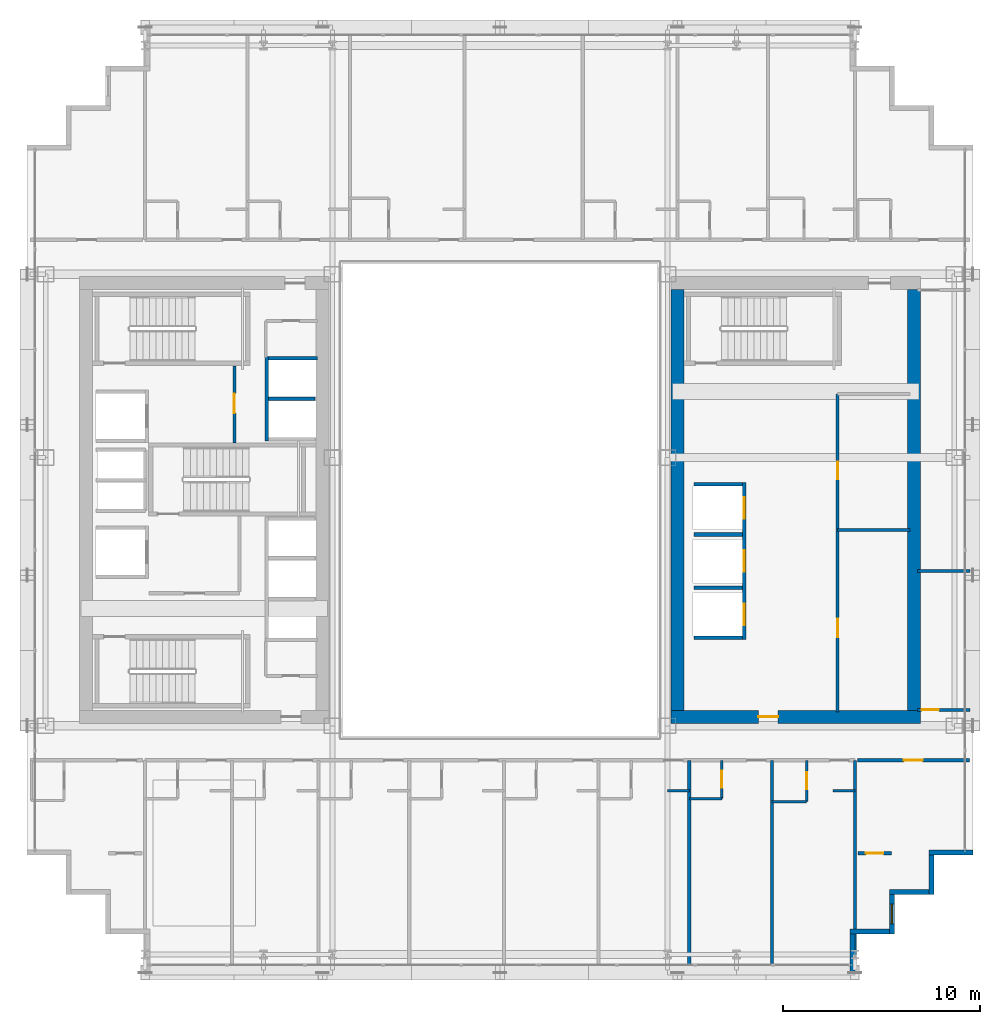
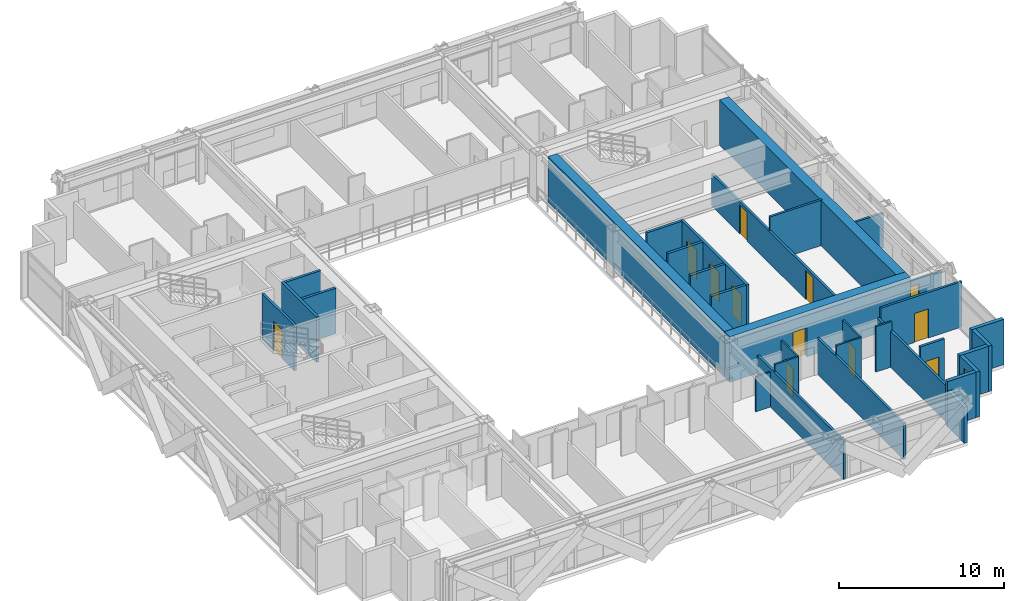
# One storey, part 29 of 35: 33 walls, 12 doors, 1 window, 13 openings.
"""IFC4 building model written with IfcOpenShell, lengths in metres."""

from ifc_helpers import new_model, si_unit, direction, frame, frame_2d, origin, place, context, subcontext, project, spatial, rectangle, extrude, source, transform, mapped, material, layer, layer_set, type_object, element, fill, save


model = new_model("IFC4")

# Units and contexts
model_context = context("Model", 3, precision=1e-05, world=origin(), true_north=direction((0.0, 1.0)))
body_context = subcontext(model_context, "Body", "Model", "MODEL_VIEW")
ifc_project = project(units=[si_unit("LENGTHUNIT", "METRE"), si_unit("AREAUNIT", "SQUARE_METRE"), si_unit("VOLUMEUNIT", "CUBIC_METRE"), si_unit("PLANEANGLEUNIT", "RADIAN"), si_unit("MASSUNIT", "GRAM", prefix="KILO")], contexts=[model_context])

# Site, building, storey
site_placement = place(None, origin())
site = spatial("IfcSite", under=ifc_project, at=site_placement, CompositionType="ELEMENT")
building_placement = place(site_placement, origin())
building = spatial("IfcBuilding", under=site, at=building_placement, Name="Ocotamira Hotel", CompositionType="ELEMENT")
storey_placement = place(building_placement, frame((0.0, 0.0, 100.800048828125)))
storey = spatial("IfcBuildingStorey", under=building, at=storey_placement, Name="L24", CompositionType="ELEMENT", Elevation=100.800048828125)

# Wall, opening, door
ifc_material_1 = material(Name="Concrete C60/75", Category="concrete")
ifc_layer_1 = layer(ifc_material_1, 0.64990234375)
ifc_layer_set_1 = layer_set([ifc_layer_1], Name="Concrete C60/75")
wall_type_1 = type_object("IfcWallType", Name="WL-CORE-650", PredefinedType="SHEAR", material=ifc_layer_set_1)
wall_1_placement = place(storey_placement, frame((40.675048828125, 15.0, 0.0), z_axis=(0.0, 0.0, 1.0), x_axis=(1.0, 0.0, 0.0)))
wall_1 = element("IfcWall", 1, at=wall_1_placement, inside=storey, type_object=wall_type_1, Name="L24 Shear Core Wall ECORE-S", PredefinedType="SHEAR", context=body_context, shape_type="SweptSolid", body=[
    extrude(rectangle(XDim=12.64990234375, YDim=0.64990234375, at=frame_2d((6.324951171875, 0.0))), origin(), (0.0, 0.0, 1.0), 3.35986328125),
])
opening_1_placement = place(wall_1_placement, frame((4.425048828125, 0.0, 0.0)))
opening_1 = element("IfcOpeningElement", 2, at=opening_1_placement, cuts=wall_1, Name="Opening D-FR2", PredefinedType="OPENING", context=body_context, shape_type="SweptSolid", body=[
    extrude(rectangle(XDim=1.0, YDim=2.14990234375, at=frame_2d((0.5, 1.074951171875))), frame((0.0, 0.3349609375, 0.0), z_axis=(0.0, -1.0, 0.0), x_axis=(1.0, 0.0, 0.0)), (0.0, 0.0, 1.0), 0.669921875),
])
ifc_material_2 = material(Name="Fire-rated acoustic timber-veneer door", Category="wood")
door_type_1 = type_object("IfcDoorType", Name="DR-FIRE-1000", OperationType="NOTDEFINED", PredefinedType="DOOR", material=ifc_material_2)
shared_shape_1 = source(origin(), body_context, "Body", "SweptSolid", [
    extrude(rectangle(XDim=1.0, YDim=2.14990234375, at=frame_2d((0.5, 1.074951171875))), frame((0.0, 0.02490234375, 0.0), z_axis=(0.0, -1.0, 0.0), x_axis=(1.0, 0.0, 0.0)), (0.0, 0.0, 1.0), 0.050048828125),
])
door_1_placement = place(opening_1_placement, origin())
door_1 = element("IfcDoor", 3, at=door_1_placement, inside=storey, type_object=door_type_1, Name="L24 Door ID-L24-ELOB-S-D [ID-L24-ELOB-S-D]", OperationType="SINGLE_SWING_RIGHT", OverallHeight=2.14990234375, OverallWidth=1.0, PredefinedType="DOOR", context=body_context, shape_type="MappedRepresentation", body=[
    mapped(shared_shape_1, transform((0.0, 0.0, 0.0), scale=1.0)),
])
fill(opening_1, door_1)

# Walls
for number, where, z_axis, x_axis, name in (
    (4, (41.0, 15.324951171875, 0.0), (0.0, 0.0, 1.0), (0.0, 1.0, 0.0), "L24 Shear Core Wall ECORE-W"),
    (5, (53.0, 15.324951171875, 0.0), (0.0, 0.0, 1.0), (0.0, 1.0, 0.0), "L24 Shear Core Wall ECORE-E"),
):
    element("IfcWall", number, at=place(storey_placement, frame(where, z_axis=z_axis, x_axis=x_axis)), inside=storey, type_object=wall_type_1, Name=name, PredefinedType="SHEAR", context=body_context, shape_type="SweptSolid", body=[
        extrude(rectangle(XDim=21.35009765625, YDim=0.64990234375, at=frame_2d((10.675048828125, 0.0))), origin(), (0.0, 0.0, 1.0), 3.35986328125),
    ])
ifc_material_3 = material(Name="Precast concrete C45/55", Category="concrete")
ifc_layer_2 = layer(ifc_material_3, 0.25)
ifc_layer_set_2 = layer_set([ifc_layer_2], Name="Precast concrete C45/55")
wall_type_2 = type_object("IfcWallType", Name="WL-EXT-SER-250", PredefinedType="SOLIDWALL", material=ifc_layer_set_2)
wall_2_placement = place(storey_placement, frame((49.875, 2.0, 0.0), z_axis=(0.0, 0.0, 1.0), x_axis=(0.0, 1.0, 0.0)))
element("IfcWall", 6, at=wall_2_placement, inside=storey, type_object=wall_type_2, Name="L24 Serrated Corner Wall 01", PredefinedType="SOLIDWALL", context=body_context, shape_type="SweptSolid", body=[
    extrude(rectangle(XDim=2.0, YDim=0.25, at=frame_2d((1.0, 0.0))), origin(), (0.0, 0.0, 1.0), 2.6669921875),
])
wall_3_placement = place(storey_placement, frame((49.75, 4.125, 0.0), z_axis=(0.0, 0.0, 1.0), x_axis=(1.0, 0.0, 0.0)))
element("IfcWall", 7, at=wall_3_placement, inside=storey, type_object=wall_type_2, Name="L24 Serrated Corner Wall 02", PredefinedType="SOLIDWALL", context=body_context, shape_type="SweptSolid", body=[
    extrude(rectangle(XDim=2.0, YDim=0.25, at=frame_2d((1.0, 0.0))), origin(), (0.0, 0.0, 1.0), 3.35986328125),
])

# Wall, opening, window
wall_4_placement = place(storey_placement, frame((51.875, 4.0, 0.0), z_axis=(0.0, 0.0, 1.0), x_axis=(0.0, 1.0, 0.0)))
wall_4 = element("IfcWall", 8, at=wall_4_placement, inside=storey, type_object=wall_type_2, Name="L24 Serrated Corner Wall 03", PredefinedType="SOLIDWALL", context=body_context, shape_type="SweptSolid", body=[
    extrude(rectangle(XDim=2.0, YDim=0.25, at=frame_2d((1.0, 0.0))), origin(), (0.0, 0.0, 1.0), 3.35986328125),
])
opening_2_placement = place(wall_4_placement, frame((0.5, 0.0, 0.85009765625)))
opening_2 = element("IfcOpeningElement", 9, at=opening_2_placement, cuts=wall_4, Name="Opening WN-2", PredefinedType="OPENING", context=body_context, shape_type="SweptSolid", body=[
    extrude(rectangle(XDim=1.0, YDim=1.89990234375, at=frame_2d((0.5, 0.949951171875))), frame((0.0, 0.135009765625, 0.0), z_axis=(0.0, -1.0, 0.0), x_axis=(1.0, 0.0, 0.0)), (0.0, 0.0, 1.0), 0.27001953125),
])
ifc_material_4 = material(Name="Double-silver low-E solar glass", Category="glass")
window_type = type_object("IfcWindowType", Name="WIN-SER-1100", PartitioningType="SINGLE_PANEL", PredefinedType="WINDOW", material=ifc_material_4)
shared_shape_2 = source(origin(), body_context, "Body", "SweptSolid", [
    extrude(rectangle(XDim=1.0, YDim=1.89990234375, at=frame_2d((0.5, 0.949951171875))), frame((0.0, 0.030029296875, 0.0), z_axis=(0.0, -1.0, 0.0), x_axis=(1.0, 0.0, 0.0)), (0.0, 0.0, 1.0), 0.06005859375),
])
window_placement = place(opening_2_placement, origin())
window = element("IfcWindow", 10, at=window_placement, inside=storey, type_object=window_type, Name="L24 Serrated Corner Window 03", OverallHeight=1.89990234375, OverallWidth=1.0, PartitioningType="SINGLE_PANEL", PredefinedType="WINDOW", context=body_context, shape_type="MappedRepresentation", body=[
    mapped(shared_shape_2, transform((0.0, 0.0, 0.0), scale=1.0)),
])
fill(opening_2, window)

# Walls
for number, where, z_axis, x_axis, name in (
    (11, (51.75, 6.125, 0.0), (0.0, 0.0, 1.0), (1.0, 0.0, 0.0), "L24 Serrated Corner Wall 04"),
    (12, (53.875, 6.0, 0.0), (0.0, 0.0, 1.0), (0.0, 1.0, 0.0), "L24 Serrated Corner Wall 05"),
):
    element("IfcWall", number, at=place(storey_placement, frame(where, z_axis=z_axis, x_axis=x_axis)), inside=storey, type_object=wall_type_2, Name=name, PredefinedType="SOLIDWALL", context=body_context, shape_type="SweptSolid", body=[
        extrude(rectangle(XDim=2.0, YDim=0.25, at=frame_2d((1.0, 0.0))), origin(), (0.0, 0.0, 1.0), 3.35986328125),
    ])
wall_5_placement = place(storey_placement, frame((53.75, 8.125, 0.0), z_axis=(0.0, 0.0, 1.0), x_axis=(1.0, 0.0, 0.0)))
element("IfcWall", 13, at=wall_5_placement, inside=storey, type_object=wall_type_2, Name="L24 Serrated Corner Wall 06", PredefinedType="SOLIDWALL", context=body_context, shape_type="SweptSolid", body=[
    extrude(rectangle(XDim=2.25, YDim=0.25, at=frame_2d((1.125, 0.0))), origin(), (0.0, 0.0, 1.0), 3.35986328125),
])

# Wall, opening, door
ifc_material_5 = material(Name="Acoustic double-layer fire gypsum board partition", Category="gypsum")
ifc_layer_3 = layer(ifc_material_5, 0.159912109375)
ifc_layer_set_3 = layer_set([ifc_layer_3], Name="Acoustic double-layer fire gypsum board partition")
wall_type_3 = type_object("IfcWallType", Name="WL-FIRE-160", PredefinedType="PARTITIONING", material=ifc_layer_set_3)
wall_6_placement = place(storey_placement, frame((18.530029296875, 28.89990234375, 0.0), z_axis=(0.0, 0.0, 1.0), x_axis=(0.0, 1.0, 0.0)))
wall_6 = element("IfcWall", 14, at=wall_6_placement, inside=storey, type_object=wall_type_3, Name="L24 Interior Wall PW-L24-FSAE2-E", PredefinedType="PARTITIONING", context=body_context, shape_type="SweptSolid", body=[
    extrude(rectangle(XDim=3.900146484375, YDim=0.159912109375, at=frame_2d((1.9501953125, 0.0))), origin(), (0.0, 0.0, 1.0), 3.35986328125),
])
opening_3_placement = place(wall_6_placement, frame((1.5, 0.0, 0.0)))
opening_3 = element("IfcOpeningElement", 15, at=opening_3_placement, cuts=wall_6, Name="Opening D-FR2", PredefinedType="OPENING", context=body_context, shape_type="SweptSolid", body=[
    extrude(rectangle(XDim=1.0, YDim=2.14990234375, at=frame_2d((0.5, 1.074951171875))), frame((0.0, 0.08984375, 0.0), z_axis=(0.0, -1.0, 0.0), x_axis=(1.0, 0.0, 0.0)), (0.0, 0.0, 1.0), 0.179931640625),
])
door_2_placement = place(opening_3_placement, origin())
door_2 = element("IfcDoor", 16, at=door_2_placement, inside=storey, type_object=door_type_1, Name="L24 Door ID-L24-FSAE2-D [ID-L24-FSAE2-D]", OperationType="SINGLE_SWING_RIGHT", OverallHeight=2.14990234375, OverallWidth=1.0, PredefinedType="DOOR", context=body_context, shape_type="MappedRepresentation", body=[
    mapped(shared_shape_1, transform((0.0, 0.0, 0.0), scale=1.0)),
])
fill(opening_3, door_2)

# Wall, openings, doors
wall_7_placement = place(storey_placement, frame((49.1201171875, 15.25, 0.0), z_axis=(0.0, 0.0, 1.0), x_axis=(0.0, 1.0, 0.0)))
wall_7 = element("IfcWall", 17, at=wall_7_placement, inside=storey, type_object=wall_type_3, Name="L24 Interior Wall PW-L24-EC-FLOW-W", PredefinedType="PARTITIONING", context=body_context, shape_type="SweptSolid", body=[
    extrude(rectangle(XDim=16.1298828125, YDim=0.159912109375, at=frame_2d((8.06494140625, 0.0))), origin(), (0.0, 0.0, 1.0), 2.35986328125),
])
opening_4_placement = place(wall_7_placement, frame((3.800048828125, 0.0, 0.0)))
opening_4 = element("IfcOpeningElement", 18, at=opening_4_placement, cuts=wall_7, Name="Opening D-SV3", PredefinedType="OPENING", context=body_context, shape_type="SweptSolid", body=[
    extrude(rectangle(XDim=0.919921875, YDim=2.14990234375, at=frame_2d((0.4599609375, 1.074951171875))), frame((0.0, 0.08984375, 0.0), z_axis=(0.0, -1.0, 0.0), x_axis=(1.0, 0.0, 0.0)), (0.0, 0.0, 1.0), 0.179931640625),
])
opening_5_placement = place(wall_7_placement, frame((11.800048828125, 0.0, 0.0)))
opening_5 = element("IfcOpeningElement", 19, at=opening_5_placement, cuts=wall_7, Name="Opening D-IN3", PredefinedType="OPENING", context=body_context, shape_type="SweptSolid", body=[
    extrude(rectangle(XDim=0.89990234375, YDim=2.14990234375, at=frame_2d((0.449951171875, 1.074951171875))), frame((0.0, 0.08984375, 0.0), z_axis=(0.0, -1.0, 0.0), x_axis=(1.0, 0.0, 0.0)), (0.0, 0.0, 1.0), 0.179931640625),
])
ifc_material_6 = material(Name="Painted service room door", Category="steel")
door_type_2 = type_object("IfcDoorType", Name="DR-INT-900", OperationType="NOTDEFINED", PredefinedType="DOOR", material=ifc_material_6)
shared_shape_3 = source(origin(), body_context, "Body", "SweptSolid", [
    extrude(rectangle(XDim=0.89990234375, YDim=2.14990234375, at=frame_2d((0.449951171875, 1.074951171875))), frame((0.0, 0.02490234375, 0.0), z_axis=(0.0, -1.0, 0.0), x_axis=(1.0, 0.0, 0.0)), (0.0, 0.0, 1.0), 0.050048828125),
])
door_3_placement = place(opening_5_placement, origin())
door_3 = element("IfcDoor", 20, at=door_3_placement, inside=storey, type_object=door_type_2, Name="L24 Door ID-L24-EC-FLOW-DB [ID-L24-EC-FLOW-DB]", OperationType="SINGLE_SWING_RIGHT", OverallHeight=2.14990234375, OverallWidth=0.89990234375, PredefinedType="DOOR", context=body_context, shape_type="MappedRepresentation", body=[
    mapped(shared_shape_3, transform((0.0, 0.0, 0.0), scale=1.0)),
])
fill(opening_5, door_3)
ifc_material_7 = material(Name="Fire-rated walnut hospitality door", Category="wood")
door_type_3 = type_object("IfcDoorType", Name="DR-SERV-920", OperationType="NOTDEFINED", PredefinedType="DOOR", material=ifc_material_7)
shared_shape_4 = source(origin(), body_context, "Body", "SweptSolid", [
    extrude(rectangle(XDim=0.919921875, YDim=2.14990234375, at=frame_2d((0.4599609375, 1.074951171875))), frame((0.0, 0.02490234375, 0.0), z_axis=(0.0, -1.0, 0.0), x_axis=(1.0, 0.0, 0.0)), (0.0, 0.0, 1.0), 0.050048828125),
])
door_4_placement = place(opening_4_placement, origin())
door_4 = element("IfcDoor", 21, at=door_4_placement, inside=storey, type_object=door_type_3, Name="L24 Door ID-L24-EC-FLOW-DA [ID-L24-EC-FLOW-DA]", OperationType="SINGLE_SWING_LEFT", OverallHeight=2.14990234375, OverallWidth=0.919921875, PredefinedType="DOOR", context=body_context, shape_type="MappedRepresentation", body=[
    mapped(shared_shape_4, transform((0.0, 0.0, 0.0), scale=1.0)),
])
fill(opening_4, door_4)

# Wall, opening, door
wall_8_placement = place(storey_placement, frame((50.1201171875, 12.800048828125, 0.0), z_axis=(0.0, 0.0, 1.0), x_axis=(1.0, 0.0, 0.0)))
wall_8 = element("IfcWall", 22, at=wall_8_placement, inside=storey, type_object=wall_type_3, Name="L24 Interior Wall PW-L24-Z2A-CSE-CW", PredefinedType="PARTITIONING", context=body_context, shape_type="SweptSolid", body=[
    extrude(rectangle(XDim=5.679931640625, YDim=0.159912109375, at=frame_2d((2.83984375, 0.0))), origin(), (0.0, 0.0, 1.0), 3.35986328125),
])
opening_6_placement = place(wall_8_placement, frame((2.360107421875, 0.0, 0.0)))
opening_6 = element("IfcOpeningElement", 23, at=opening_6_placement, cuts=wall_8, Name="Opening D-SV4", PredefinedType="OPENING", context=body_context, shape_type="SweptSolid", body=[
    extrude(rectangle(XDim=0.9599609375, YDim=2.14990234375, at=frame_2d((0.47998046875, 1.074951171875))), frame((0.0, 0.08984375, 0.0), z_axis=(0.0, -1.0, 0.0), x_axis=(1.0, 0.0, 0.0)), (0.0, 0.0, 1.0), 0.179931640625),
])
ifc_material_8 = material(Name="Fire-rated accessible walnut salon door", Category="wood")
door_type_4 = type_object("IfcDoorType", Name="DR-SERV-960", OperationType="NOTDEFINED", PredefinedType="DOOR", material=ifc_material_8)
shared_shape_5 = source(origin(), body_context, "Body", "SweptSolid", [
    extrude(rectangle(XDim=0.9599609375, YDim=2.14990234375, at=frame_2d((0.47998046875, 1.074951171875))), frame((0.0, 0.02490234375, 0.0), z_axis=(0.0, -1.0, 0.0), x_axis=(1.0, 0.0, 0.0)), (0.0, 0.0, 1.0), 0.050048828125),
])
door_5_placement = place(opening_6_placement, origin())
door_5 = element("IfcDoor", 24, at=door_5_placement, inside=storey, type_object=door_type_4, Name="L24 Door ID-L24-Z2A-CSE-CD [ID-L24-Z2A-CSE-CD]", OperationType="SINGLE_SWING_LEFT", OverallHeight=2.14990234375, OverallWidth=0.9599609375, PredefinedType="DOOR", context=body_context, shape_type="MappedRepresentation", body=[
    mapped(shared_shape_5, transform((0.0, 0.0, 0.0), scale=1.0)),
])
fill(opening_6, door_5)

wall_9_placement = place(storey_placement, frame((50.14990234375, 8.080078125, 0.0), z_axis=(0.0, 0.0, 1.0), x_axis=(1.0, 0.0, 0.0)))
wall_9 = element("IfcWall", 25, at=wall_9_placement, inside=storey, type_object=wall_type_3, Name="L24 Interior Wall PW-L24-Z2A-CSE2-CW", PredefinedType="PARTITIONING", context=body_context, shape_type="SweptSolid", body=[
    extrude(rectangle(XDim=1.7001953125, YDim=0.159912109375, at=frame_2d((0.85009765625, 0.0))), origin(), (0.0, 0.0, 1.0), 3.35986328125),
])
opening_7_placement = place(wall_9_placement, frame((0.409912109375, 0.0, 0.0)))
opening_7 = element("IfcOpeningElement", 26, at=opening_7_placement, cuts=wall_9, Name="Opening D-SV2", PredefinedType="OPENING", context=body_context, shape_type="SweptSolid", body=[
    extrude(rectangle(XDim=0.8798828125, YDim=2.14990234375, at=frame_2d((0.43994140625, 1.074951171875))), frame((0.0, 0.08984375, 0.0), z_axis=(0.0, -1.0, 0.0), x_axis=(1.0, 0.0, 0.0)), (0.0, 0.0, 1.0), 0.179931640625),
])
ifc_material_9 = material(Name="Fire-rated painted steel service door", Category="steel")
door_type_5 = type_object("IfcDoorType", Name="DR-SERV-880", OperationType="NOTDEFINED", PredefinedType="DOOR", material=ifc_material_9)
shared_shape_6 = source(origin(), body_context, "Body", "SweptSolid", [
    extrude(rectangle(XDim=0.8798828125, YDim=2.14990234375, at=frame_2d((0.43994140625, 1.074951171875))), frame((0.0, 0.02490234375, 0.0), z_axis=(0.0, -1.0, 0.0), x_axis=(1.0, 0.0, 0.0)), (0.0, 0.0, 1.0), 0.050048828125),
])
door_6_placement = place(opening_7_placement, origin())
door_6 = element("IfcDoor", 27, at=door_6_placement, inside=storey, type_object=door_type_5, Name="L24 Door ID-L24-Z2A-CSE2-CD [ID-L24-Z2A-CSE2-CD]", OperationType="SINGLE_SWING_LEFT", OverallHeight=2.14990234375, OverallWidth=0.8798828125, PredefinedType="DOOR", context=body_context, shape_type="MappedRepresentation", body=[
    mapped(shared_shape_6, transform((0.0, 0.0, 0.0), scale=1.0)),
])
fill(opening_7, door_6)

# Wall
ifc_material_10 = material(Name="Moisture-resistant en-suite tile and gypsum partition", Category="gypsum")
ifc_layer_4 = layer(ifc_material_10, 0.1201171875)
ifc_layer_set_4 = layer_set([ifc_layer_4], Name="Moisture-resistant en-suite tile and gypsum partition")
wall_type_4 = type_object("IfcWallType", Name="WL-PART-120", PredefinedType="PARTITIONING", material=ifc_layer_set_4)
wall_10_placement = place(storey_placement, frame((40.5, 11.25, 0.0), z_axis=(0.0, 0.0, 1.0), x_axis=(1.0, 0.0, 0.0)))
element("IfcWall", 28, at=wall_10_placement, inside=storey, type_object=wall_type_4, Name="L24 Interior Wall PW-L24-Z2AS-DRN6", PredefinedType="PARTITIONING", context=body_context, shape_type="SweptSolid", body=[
    extrude(rectangle(XDim=1.10009765625, YDim=0.1201171875, at=frame_2d((0.550048828125, 0.0))), origin(), (0.0, 0.0, 1.0), 2.5810546875),
])

# Wall, opening, door
wall_11_placement = place(storey_placement, frame((43.25, 10.85009765625, 0.0), z_axis=(0.0, 0.0, 1.0), x_axis=(0.0, 1.0, 0.0)))
wall_11 = element("IfcWall", 29, at=wall_11_placement, inside=storey, type_object=wall_type_4, Name="L24 Interior Wall PW-L24-Z2AS-BAE7", PredefinedType="PARTITIONING", context=body_context, shape_type="SweptSolid", body=[
    extrude(rectangle(XDim=1.949951171875, YDim=0.1201171875, at=frame_2d((0.97509765625, 0.0))), origin(), (0.0, 0.0, 1.0), 3.35986328125),
])
opening_8_placement = place(wall_11_placement, frame((0.544921875, 0.0, 0.0)))
opening_8 = element("IfcOpeningElement", 30, at=opening_8_placement, cuts=wall_11, Name="Opening D-BA1", PredefinedType="OPENING", context=body_context, shape_type="SweptSolid", body=[
    extrude(rectangle(XDim=0.860107421875, YDim=2.10009765625, at=frame_2d((0.43017578125, 1.050048828125))), frame((0.0, 0.070068359375, 0.0), z_axis=(0.0, -1.0, 0.0), x_axis=(1.0, 0.0, 0.0)), (0.0, 0.0, 1.0), 0.14013671875),
])
ifc_material_11 = material(Name="Moisture-sealed en-suite timber door", Category="wood")
door_type_6 = type_object("IfcDoorType", Name="DR-BATH-860", OperationType="NOTDEFINED", PredefinedType="DOOR", material=ifc_material_11)
shared_shape_7 = source(origin(), body_context, "Body", "SweptSolid", [
    extrude(rectangle(XDim=0.860107421875, YDim=2.10009765625, at=frame_2d((0.43017578125, 1.050048828125))), frame((0.0, 0.02490234375, 0.0), z_axis=(0.0, -1.0, 0.0), x_axis=(1.0, 0.0, 0.0)), (0.0, 0.0, 1.0), 0.050048828125),
])
door_7_placement = place(opening_8_placement, origin())
door_7 = element("IfcDoor", 31, at=door_7_placement, inside=storey, type_object=door_type_6, Name="L24 Door ID-L24-Z2AS-BAD7 [ID-L24-Z2AS-BAD7]", OperationType="SINGLE_SWING_RIGHT", OverallHeight=2.10009765625, OverallWidth=0.860107421875, PredefinedType="DOOR", context=body_context, shape_type="MappedRepresentation", body=[
    mapped(shared_shape_7, transform((0.0, 0.0, 0.0), scale=1.0)),
])
fill(opening_8, door_7)

# Wall
wall_12_placement = place(storey_placement, frame((41.60009765625, 10.85009765625, 0.0), z_axis=(0.0, 0.0, 1.0), x_axis=(1.0, 0.0, 0.0)))
element("IfcWall", 32, at=wall_12_placement, inside=storey, type_object=wall_type_4, Name="L24 Interior Wall PW-L24-Z2AS-BAS7", PredefinedType="PARTITIONING", context=body_context, shape_type="SweptSolid", body=[
    extrude(rectangle(XDim=1.64990234375, YDim=0.1201171875, at=frame_2d((0.824951171875, 0.0))), origin(), (0.0, 0.0, 1.0), 3.35986328125),
])

# Wall, opening, door
wall_13_placement = place(storey_placement, frame((47.550048828125, 10.699951171875, 0.0), z_axis=(0.0, 0.0, 1.0), x_axis=(0.0, 1.0, 0.0)))
wall_13 = element("IfcWall", 33, at=wall_13_placement, inside=storey, type_object=wall_type_4, Name="L24 Interior Wall PW-L24-Z2AS-BAE8", PredefinedType="PARTITIONING", context=body_context, shape_type="SweptSolid", body=[
    extrude(rectangle(XDim=2.10009765625, YDim=0.1201171875, at=frame_2d((1.050048828125, 0.0))), origin(), (0.0, 0.0, 1.0), 3.35986328125),
])
opening_9_placement = place(wall_13_placement, frame((0.6201171875, 0.0, 0.0)))
opening_9 = element("IfcOpeningElement", 34, at=opening_9_placement, cuts=wall_13, Name="Opening D-BA1", PredefinedType="OPENING", context=body_context, shape_type="SweptSolid", body=[
    extrude(rectangle(XDim=0.860107421875, YDim=2.10009765625, at=frame_2d((0.43017578125, 1.050048828125))), frame((0.0, 0.070068359375, 0.0), z_axis=(0.0, -1.0, 0.0), x_axis=(1.0, 0.0, 0.0)), (0.0, 0.0, 1.0), 0.14013671875),
])
door_8_placement = place(opening_9_placement, origin())
door_8 = element("IfcDoor", 35, at=door_8_placement, inside=storey, type_object=door_type_6, Name="L24 Door ID-L24-Z2AS-BAD8 [ID-L24-Z2AS-BAD8]", OperationType="SINGLE_SWING_LEFT", OverallHeight=2.10009765625, OverallWidth=0.860107421875, PredefinedType="DOOR", context=body_context, shape_type="MappedRepresentation", body=[
    mapped(shared_shape_7, transform((0.0, 0.0, 0.0), scale=1.0)),
])
fill(opening_9, door_8)

# Walls
wall_14_placement = place(storey_placement, frame((45.800048828125, 10.699951171875, 0.0), z_axis=(0.0, 0.0, 1.0), x_axis=(1.0, 0.0, 0.0)))
element("IfcWall", 36, at=wall_14_placement, inside=storey, type_object=wall_type_4, Name="L24 Interior Wall PW-L24-Z2AS-BAS8", PredefinedType="PARTITIONING", context=body_context, shape_type="SweptSolid", body=[
    extrude(rectangle(XDim=1.75, YDim=0.1201171875, at=frame_2d((0.875, 0.0))), origin(), (0.0, 0.0, 1.0), 3.35986328125),
])
wall_15_placement = place(storey_placement, frame((48.89990234375, 11.25, 0.0), z_axis=(0.0, 0.0, 1.0), x_axis=(1.0, 0.0, 0.0)))
element("IfcWall", 37, at=wall_15_placement, inside=storey, type_object=wall_type_4, Name="L24 Interior Wall PW-L24-Z2AS-DRN8", PredefinedType="PARTITIONING", context=body_context, shape_type="SweptSolid", body=[
    extrude(rectangle(XDim=1.10009765625, YDim=0.1201171875, at=frame_2d((0.550048828125, 0.0))), origin(), (0.0, 0.0, 1.0), 3.35986328125),
])
ifc_material_12 = material(Name="Acoustic hospitality gypsum board partition", Category="gypsum")
ifc_layer_5 = layer(ifc_material_12, 0.14208984375)
ifc_layer_set_5 = layer_set([ifc_layer_5], Name="Acoustic hospitality gypsum board partition")
wall_type_5 = type_object("IfcWallType", Name="WL-PART-142", PredefinedType="PARTITIONING", material=ifc_layer_set_5)
wall_16_placement = place(storey_placement, frame((53.179931640625, 22.39990234375, 0.0), z_axis=(0.0, 0.0, 1.0), x_axis=(1.0, 0.0, 0.0)))
element("IfcWall", 38, at=wall_16_placement, inside=storey, type_object=wall_type_5, Name="L24 Interior Wall PW-L24-Z2A-EF-DV1", PredefinedType="PARTITIONING", context=body_context, shape_type="SweptSolid", body=[
    extrude(rectangle(XDim=2.66015625, YDim=0.14208984375, at=frame_2d((1.330078125, 0.0))), origin(), (0.0, 0.0, 1.0), 2.5810546875),
])
ifc_layer_6 = layer(ifc_material_12, 0.14990234375)
ifc_layer_set_6 = layer_set([ifc_layer_6], Name="Acoustic hospitality gypsum board partition")
wall_type_6 = type_object("IfcWallType", Name="WL-PART-150", PredefinedType="PARTITIONING", material=ifc_layer_set_6)
wall_17_placement = place(storey_placement, frame((49.1201171875, 24.489990234375, 0.0), z_axis=(0.0, 0.0, 1.0), x_axis=(1.0, 0.0, 0.0)))
element("IfcWall", 39, at=wall_17_placement, inside=storey, type_object=wall_type_6, Name="L24 Interior Wall PW-L24-EC-FDIVA", PredefinedType="PARTITIONING", context=body_context, shape_type="SweptSolid", body=[
    extrude(rectangle(XDim=3.679931640625, YDim=0.14990234375, at=frame_2d((1.83984375, 0.0))), origin(), (0.0, 0.0, 1.0), 3.35986328125),
])

# Wall, opening, door
wall_18_placement = place(storey_placement, frame((53.179931640625, 15.360107421875, 0.0), z_axis=(0.0, 0.0, 1.0), x_axis=(1.0, 0.0, 0.0)))
wall_18 = element("IfcWall", 40, at=wall_18_placement, inside=storey, type_object=wall_type_6, Name="L24 Interior Wall PW-L24-Z2A-EF-WS", PredefinedType="PARTITIONING", context=body_context, shape_type="SweptSolid", body=[
    extrude(rectangle(XDim=2.66015625, YDim=0.14990234375, at=frame_2d((1.330078125, 0.0))), origin(), (0.0, 0.0, 1.0), 2.5810546875),
])
opening_10_placement = place(wall_18_placement, frame((0.199951171875, 0.0, 0.0)))
opening_10 = element("IfcOpeningElement", 41, at=opening_10_placement, cuts=wall_18, Name="Opening D-SV2", PredefinedType="OPENING", context=body_context, shape_type="SweptSolid", body=[
    extrude(rectangle(XDim=0.8798828125, YDim=2.14990234375, at=frame_2d((0.43994140625, 1.074951171875))), frame((0.0, 0.0849609375, 0.0), z_axis=(0.0, -1.0, 0.0), x_axis=(1.0, 0.0, 0.0)), (0.0, 0.0, 1.0), 0.169921875),
])
door_9_placement = place(opening_10_placement, origin())
door_9 = element("IfcDoor", 42, at=door_9_placement, inside=storey, type_object=door_type_5, Name="L24 Door ID-L24-Z2A-EF-DS [ID-L24-Z2A-EF-DS]", OperationType="SINGLE_SWING_RIGHT", OverallHeight=2.14990234375, OverallWidth=0.8798828125, PredefinedType="DOOR", context=body_context, shape_type="MappedRepresentation", body=[
    mapped(shared_shape_6, transform((0.0, 0.0, 0.0), scale=1.0)),
])
fill(opening_10, door_9)

# Walls
ifc_material_13 = material(Name="Acoustic double-stud hospitality gypsum partition", Category="gypsum")
ifc_layer_7 = layer(ifc_material_13, 0.159912109375)
ifc_layer_set_7 = layer_set([ifc_layer_7], Name="Acoustic double-stud hospitality gypsum partition")
wall_type_7 = type_object("IfcWallType", Name="WL-PART-160", PredefinedType="PARTITIONING", material=ifc_layer_set_7)
wall_19_placement = place(storey_placement, frame((50.0, 2.360107421875, 0.0), z_axis=(0.0, 0.0, 1.0), x_axis=(0.0, 1.0, 0.0)))
element("IfcWall", 43, at=wall_19_placement, inside=storey, type_object=wall_type_7, Name="L24 Interior Wall PW-L24-Z2AS-PWEND", PredefinedType="PARTITIONING", context=body_context, shape_type="SweptSolid", body=[
    extrude(rectangle(XDim=10.43994140625, YDim=0.159912109375, at=frame_2d((5.219970703125, 0.0))), origin(), (0.0, 0.0, 1.0), 2.6669921875),
])
wall_20_placement = place(storey_placement, frame((41.60009765625, 2.360107421875, 0.0), z_axis=(0.0, 0.0, 1.0), x_axis=(0.0, 1.0, 0.0)))
element("IfcWall", 44, at=wall_20_placement, inside=storey, type_object=wall_type_7, Name="L24 Interior Wall PW-L24-Z2AS-PW6", PredefinedType="PARTITIONING", context=body_context, shape_type="SweptSolid", body=[
    extrude(rectangle(XDim=10.43994140625, YDim=0.159912109375, at=frame_2d((5.219970703125, 0.0))), origin(), (0.0, 0.0, 1.0), 2.822998046875),
])
wall_21_placement = place(storey_placement, frame((45.800048828125, 2.360107421875, 0.0), z_axis=(0.0, 0.0, 1.0), x_axis=(0.0, 1.0, 0.0)))
element("IfcWall", 45, at=wall_21_placement, inside=storey, type_object=wall_type_7, Name="L24 Interior Wall PW-L24-Z2AS-PW7", PredefinedType="PARTITIONING", context=body_context, shape_type="SweptSolid", body=[
    extrude(rectangle(XDim=10.43994140625, YDim=0.159912109375, at=frame_2d((5.219970703125, 0.0))), origin(), (0.0, 0.0, 1.0), 2.6669921875),
])

# Wall, openings, doors
ifc_material_14 = material(Name="Fire-rated gypsum shaftliner board assembly", Category="gypsum")
ifc_layer_8 = layer(ifc_material_14, 0.179931640625)
ifc_layer_set_8 = layer_set([ifc_layer_8], Name="Fire-rated gypsum shaftliner board assembly")
wall_type_8 = type_object("IfcWallType", Name="WL-SHAFT-180", PredefinedType="SOLIDWALL", material=ifc_layer_set_8)
wall_22_placement = place(storey_placement, frame((44.389892578125, 18.919921875, 0.0), z_axis=(0.0, 0.0, 1.0), x_axis=(0.0, 1.0, 0.0)))
wall_22 = element("IfcWall", 46, at=wall_22_placement, inside=storey, type_object=wall_type_8, Name="L24 Interior Wall PW-L24-LFW-BANK-mid-F", PredefinedType="SOLIDWALL", context=body_context, shape_type="SweptSolid", body=[
    extrude(rectangle(XDim=7.9599609375, YDim=0.179931640625, at=frame_2d((3.97998046875, 0.0))), origin(), (0.0, 0.0, 1.0), 3.35986328125),
])
opening_11_placement = place(wall_22_placement, frame((0.72998046875, 0.0, 0.0)))
opening_11 = element("IfcOpeningElement", 47, at=opening_11_placement, cuts=wall_22, Name="Opening LD-LF-P4", PredefinedType="OPENING", context=body_context, shape_type="SweptSolid", body=[
    extrude(rectangle(XDim=1.10009765625, YDim=2.199951171875, at=frame_2d((0.550048828125, 1.10009765625))), frame((0.0, 0.10009765625, 0.0), z_axis=(0.0, -1.0, 0.0), x_axis=(1.0, 0.0, 0.0)), (0.0, 0.0, 1.0), 0.199951171875),
])
opening_12_placement = place(wall_22_placement, frame((3.429931640625, 0.0, 0.0)))
opening_12 = element("IfcOpeningElement", 48, at=opening_12_placement, cuts=wall_22, Name="Opening LD-LF-P5", PredefinedType="OPENING", context=body_context, shape_type="SweptSolid", body=[
    extrude(rectangle(XDim=1.10009765625, YDim=2.199951171875, at=frame_2d((0.550048828125, 1.10009765625))), frame((0.0, 0.10009765625, 0.0), z_axis=(0.0, -1.0, 0.0), x_axis=(1.0, 0.0, 0.0)), (0.0, 0.0, 1.0), 0.199951171875),
])
opening_13_placement = place(wall_22_placement, frame((6.1298828125, 0.0, 0.0)))
opening_13 = element("IfcOpeningElement", 49, at=opening_13_placement, cuts=wall_22, Name="Opening LD-LF-P6", PredefinedType="OPENING", context=body_context, shape_type="SweptSolid", body=[
    extrude(rectangle(XDim=1.10009765625, YDim=2.199951171875, at=frame_2d((0.550048828125, 1.10009765625))), frame((0.0, 0.10009765625, 0.0), z_axis=(0.0, -1.0, 0.0), x_axis=(1.0, 0.0, 0.0)), (0.0, 0.0, 1.0), 0.199951171875),
])
ifc_material_15 = material(Name="Brushed pale-metal stainless elevator landing door", Category="steel")
door_type_7 = type_object("IfcDoorType", Name="DR-LIFT-1100", OperationType="NOTDEFINED", PredefinedType="DOOR", material=ifc_material_15)
shared_shape_8 = source(origin(), body_context, "Body", "SweptSolid", [
    extrude(rectangle(XDim=1.10009765625, YDim=2.199951171875, at=frame_2d((0.550048828125, 1.10009765625))), frame((0.0, 0.02490234375, 0.0), z_axis=(0.0, -1.0, 0.0), x_axis=(1.0, 0.0, 0.0)), (0.0, 0.0, 1.0), 0.050048828125),
])
door_10_placement = place(opening_11_placement, origin())
door_10 = element("IfcDoor", 50, at=door_10_placement, inside=storey, type_object=door_type_7, Name="L24 Landing Door LD-LF-P4 [ID-L24-LD-LF-P4]", OperationType="DOUBLE_DOOR_SLIDING", OverallHeight=2.199951171875, OverallWidth=1.10009765625, PredefinedType="DOOR", context=body_context, shape_type="MappedRepresentation", body=[
    mapped(shared_shape_8, transform((0.0, 0.0, 0.0), scale=1.0)),
])
fill(opening_11, door_10)
door_11_placement = place(opening_12_placement, origin())
door_11 = element("IfcDoor", 51, at=door_11_placement, inside=storey, type_object=door_type_7, Name="L24 Landing Door LD-LF-P5 [ID-L24-LD-LF-P5]", OperationType="DOUBLE_DOOR_SLIDING", OverallHeight=2.199951171875, OverallWidth=1.10009765625, PredefinedType="DOOR", context=body_context, shape_type="MappedRepresentation", body=[
    mapped(shared_shape_8, transform((0.0, 0.0, 0.0), scale=1.0)),
])
fill(opening_12, door_11)
door_12_placement = place(opening_13_placement, origin())
door_12 = element("IfcDoor", 52, at=door_12_placement, inside=storey, type_object=door_type_7, Name="L24 Landing Door LD-LF-P6 [ID-L24-LD-LF-P6]", OperationType="DOUBLE_DOOR_SLIDING", OverallHeight=2.199951171875, OverallWidth=1.10009765625, PredefinedType="DOOR", context=body_context, shape_type="MappedRepresentation", body=[
    mapped(shared_shape_8, transform((0.0, 0.0, 0.0), scale=1.0)),
])
fill(opening_13, door_12)

# Walls
for number, where, z_axis, x_axis, name in (
    (53, (41.85009765625, 19.010009765625, 0.0), (0.0, 0.0, 1.0), (1.0, 0.0, 0.0), "L24 Interior Wall PW-L24-LFW-BANK-mid-S"),
    (54, (41.85009765625, 26.7900390625, 0.0), (0.0, 0.0, 1.0), (1.0, 0.0, 0.0), "L24 Interior Wall PW-L24-LFW-BANK-mid-N"),
    (55, (41.85009765625, 21.550048828125, 0.0), (0.0, 0.0, 1.0), (1.0, 0.0, 0.0), "L24 Interior Wall PW-L24-LFW-DIV-LF-P4"),
    (56, (41.85009765625, 24.25, 0.0), (0.0, 0.0, 1.0), (1.0, 0.0, 0.0), "L24 Interior Wall PW-L24-LFW-DIV-LF-P5"),
):
    element("IfcWall", number, at=place(storey_placement, frame(where, z_axis=z_axis, x_axis=x_axis)), inside=storey, type_object=wall_type_8, Name=name, PredefinedType="SOLIDWALL", context=body_context, shape_type="SweptSolid", body=[
        extrude(rectangle(XDim=2.449951171875, YDim=0.179931640625, at=frame_2d((1.22509765625, 0.0))), origin(), (0.0, 0.0, 1.0), 3.35986328125),
    ])
wall_23_placement = place(storey_placement, frame((20.159912109375, 29.0, 0.0), z_axis=(0.0, 0.0, 1.0), x_axis=(0.0, 1.0, 0.0)))
element("IfcWall", 57, at=wall_23_placement, inside=storey, type_object=wall_type_8, Name="L24 Interior Wall PW-L24-LFW-BANK-obs-F", PredefinedType="SOLIDWALL", context=body_context, shape_type="SweptSolid", body=[
    extrude(rectangle(XDim=4.2900390625, YDim=0.179931640625, at=frame_2d((2.14501953125, 0.0))), origin(), (0.0, 0.0, 1.0), 3.35986328125),
])
wall_24_placement = place(storey_placement, frame((20.25, 33.199951171875, 0.0), z_axis=(0.0, 0.0, 1.0), x_axis=(1.0, 0.0, 0.0)))
element("IfcWall", 58, at=wall_24_placement, inside=storey, type_object=wall_type_8, Name="L24 Interior Wall PW-L24-LFW-BANK-obs-N", PredefinedType="SOLIDWALL", context=body_context, shape_type="SweptSolid", body=[
    extrude(rectangle(XDim=2.5, YDim=0.179931640625, at=frame_2d((1.25, 0.0))), origin(), (0.0, 0.0, 1.0), 3.35986328125),
])
wall_25_placement = place(storey_placement, frame((20.25, 31.14501953125, 0.0), z_axis=(0.0, 0.0, 1.0), x_axis=(1.0, 0.0, 0.0)))
element("IfcWall", 59, at=wall_25_placement, inside=storey, type_object=wall_type_8, Name="L24 Interior Wall PW-L24-LFW-DIV-LF-OBS1", PredefinedType="SOLIDWALL", context=body_context, shape_type="SweptSolid", body=[
    extrude(rectangle(XDim=2.360107421875, YDim=0.179931640625, at=frame_2d((1.18017578125, 0.0))), origin(), (0.0, 0.0, 1.0), 3.35986328125),
])

save(model, "model.ifc")
